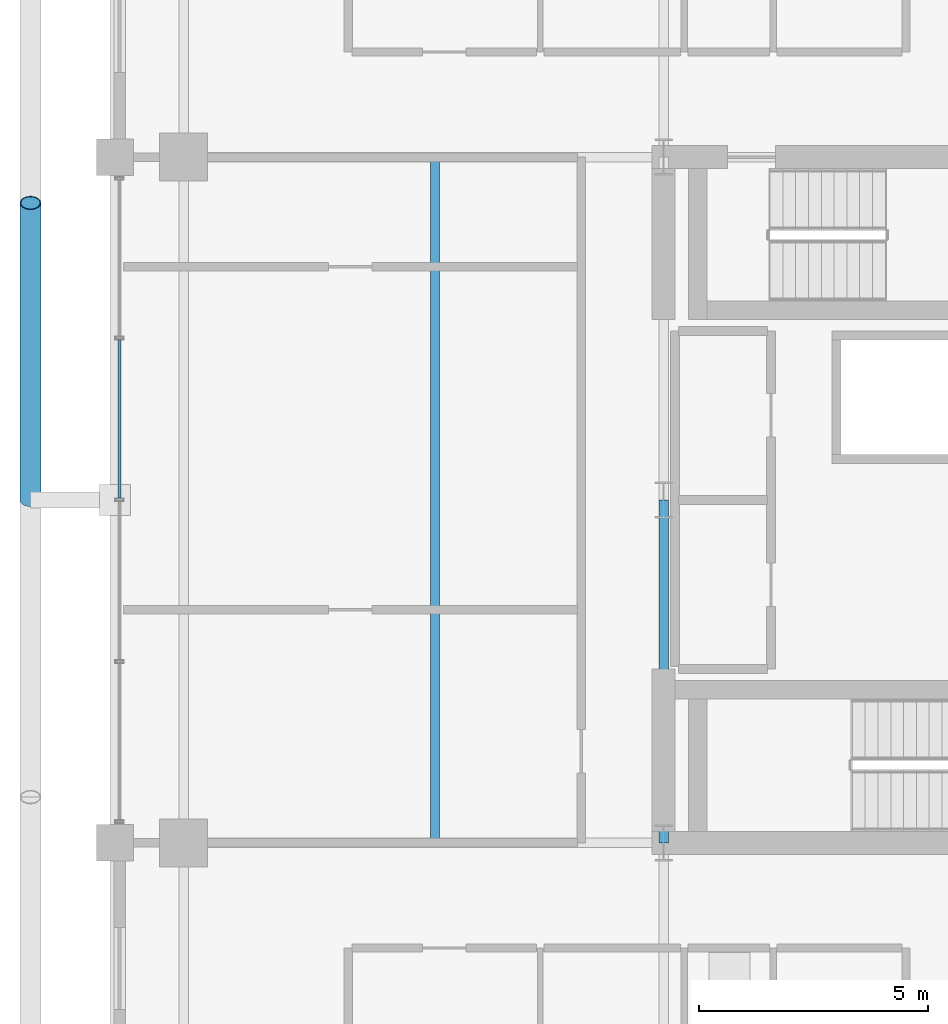
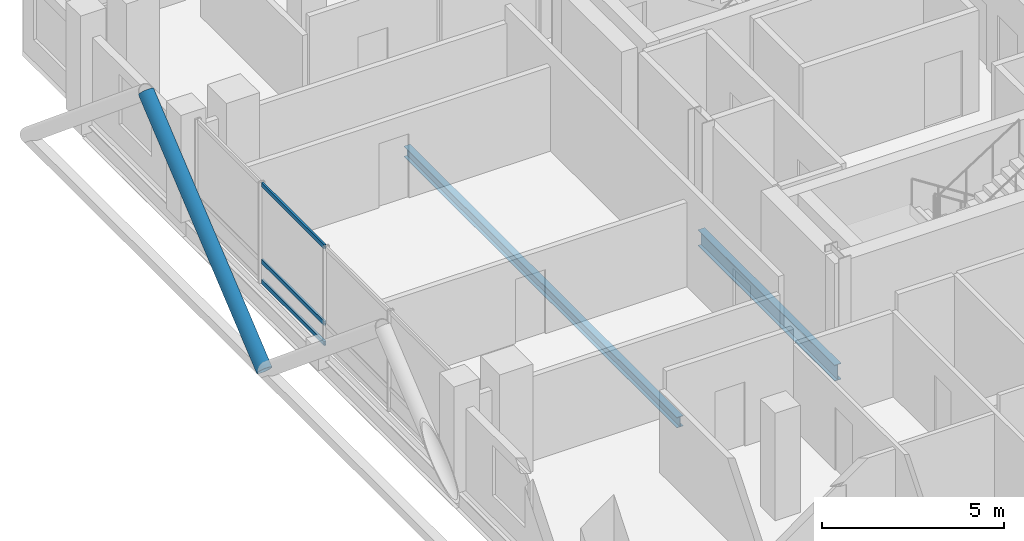
# One storey, part 8 of 26: 4 members, 2 beams, 1 element without a shape of its own.
"""IFC4 building model written with IfcOpenShell, lengths in metres."""

import ifcopenshell
import ifcopenshell.guid

model = None  # the IFC model being written
_history = None  # IfcOwnerHistory: only IFC2X3 demands one
_inside = {}  # id of a spatial element -> (the spatial element, [elements in it])
_under = {}  # id of a project, library or spatial element -> (it, [spatial elements below it])
_declared = {}  # id of a project -> (the project, [libraries it declares])
_typed = {}  # id of a type object -> (the type object, [elements of that type])
_made_of = {}  # id of a material, layer set ... -> (it, [elements and type objects made of it])


def new_model(schema):
    """Start an empty IFC model of exactly this schema.

    Asked for "IFC4X3", IfcOpenShell would pick the latest addendum, in which some entities
    have other attributes; the version numbers below select the first issue.
    IFC2X3 requires an IfcOwnerHistory on every rooted entity: one is made here for all.
    """
    global model, _history
    if schema == "IFC4X3":
        model = ifcopenshell.file(schema_version=(4, 3, 0, 0))
    else:
        model = ifcopenshell.file(schema=schema)
    _inside.clear()
    _under.clear()
    _declared.clear()
    _typed.clear()
    _made_of.clear()
    _history = None
    if model.schema == "IFC2X3":
        org = make("IfcOrganization", Name="unknown")
        user = make(
            "IfcPersonAndOrganization",
            ThePerson=make("IfcPerson", FamilyName="unknown"),
            TheOrganization=org,
        )
        app = make(
            "IfcApplication",
            ApplicationDeveloper=org,
            Version="unknown",
            ApplicationFullName="unknown",
            ApplicationIdentifier="unknown",
        )
        _history = make(
            "IfcOwnerHistory",
            OwningUser=user,
            OwningApplication=app,
            ChangeAction="ADDED",
            CreationDate=0,
        )
    return model


def make(cls, **values):
    """One entity of the class cls with the attributes given. An attribute that is None is left unset."""
    return model.create_entity(
        cls, **{name: value for name, value in values.items() if value is not None}
    )


def rooted(cls, **values):
    """An entity with a GlobalId (a new one), such as an element, a storey or a relation."""
    return make(cls, GlobalId=ifcopenshell.guid.new(), OwnerHistory=_history, **values)


def si_unit(unit_type, name, prefix=None):
    """IfcSIUnit, for example si_unit("LENGTHUNIT", "METRE", prefix="MILLI")."""
    return make("IfcSIUnit", UnitType=unit_type, Prefix=prefix, Name=name)


def assignment(units):
    """IfcUnitAssignment: the units of a project."""
    return None if units is None else make("IfcUnitAssignment", Units=units)


def point(xyz):
    """IfcCartesianPoint."""
    return None if xyz is None else make("IfcCartesianPoint", Coordinates=xyz)


def direction(xyz):
    """IfcDirection."""
    return None if xyz is None else make("IfcDirection", DirectionRatios=xyz)


def frame(location, z_axis=None, x_axis=None):
    """IfcAxis2Placement3D, a coordinate frame: its origin and axes. An axis left out is left unset."""
    return make(
        "IfcAxis2Placement3D",
        Location=point(location),
        Axis=direction(z_axis),
        RefDirection=direction(x_axis),
    )


def frame_2d(location, x_axis=None):
    """IfcAxis2Placement2D, a coordinate frame in the plane: its origin and x axis."""
    return make(
        "IfcAxis2Placement2D", Location=point(location), RefDirection=direction(x_axis)
    )


def origin():
    """The frame at (0, 0, 0) with its axes left unset."""
    return frame((0.0, 0.0, 0.0))


def origin_2d():
    """The frame at (0, 0) in the plane with its x axis left unset."""
    return frame_2d((0.0, 0.0))


def place(relative_to, where):
    """IfcLocalPlacement: puts the frame where relative to a parent placement (None: the world)."""
    return make(
        "IfcLocalPlacement", PlacementRelTo=relative_to, RelativePlacement=where
    )


def context(
    kind, dimensions, precision=None, world=None, true_north=None, identifier=None
):
    """IfcGeometricRepresentationContext, for example the 3D "Model" context."""
    return make(
        "IfcGeometricRepresentationContext",
        ContextIdentifier=identifier,
        ContextType=kind,
        CoordinateSpaceDimension=dimensions,
        Precision=precision,
        WorldCoordinateSystem=world,
        TrueNorth=true_north,
    )


def subcontext(parent, identifier, kind, view, scale=None):
    """IfcGeometricRepresentationSubContext, for example "Body" below "Model"."""
    return make(
        "IfcGeometricRepresentationSubContext",
        ContextIdentifier=identifier,
        ContextType=kind,
        ParentContext=parent,
        TargetScale=scale,
        TargetView=view,
    )


def project(units=None, contexts=None):
    """IfcProject with its units and contexts."""
    return rooted(
        "IfcProject",
        Name="project",
        RepresentationContexts=contexts,
        UnitsInContext=assignment(units),
    )


def spatial(cls, under=None, at=None, **own):
    """A site, building, storey or space (cls), placed at a placement, below another one or the project."""
    s = rooted(cls, ObjectPlacement=at, **own)
    if under is not None:
        _under.setdefault(under.id(), (under, []))[1].append(s)
    return s


def profile(cls, at=None, kind="AREA", **sizes):
    """A parametric profile (cls). Its sizes go by their IFC names, for example OverallWidth=200.0."""
    return make(cls, ProfileType=kind, Position=at, **sizes)


def hollow_rectangle(**sizes):
    """IfcRectangleHollowProfileDef."""
    return profile("IfcRectangleHollowProfileDef", **sizes)


def hollow_circle(**sizes):
    """IfcCircleHollowProfileDef."""
    return profile("IfcCircleHollowProfileDef", **sizes)


def i_section(**sizes):
    """IfcIShapeProfileDef."""
    return profile("IfcIShapeProfileDef", **sizes)


def extrude(swept, where, along, depth):
    """IfcExtrudedAreaSolid: the profile swept, set in the frame where, extruded along a direction by depth."""
    return make(
        "IfcExtrudedAreaSolid",
        SweptArea=swept,
        Position=where,
        ExtrudedDirection=direction(along),
        Depth=depth,
    )


def shape(context_of_items, identifier, shape_type, items):
    """IfcShapeRepresentation: the items that make up one representation, for example the "Body"."""
    return make(
        "IfcShapeRepresentation",
        ContextOfItems=context_of_items,
        RepresentationIdentifier=identifier,
        RepresentationType=shape_type,
        Items=items,
    )


def material(Name=None, Category=None):
    """IfcMaterial."""
    return make("IfcMaterial", Name=Name, Category=Category)


def layer(
    of_material, thickness, ventilated=None, Name=None, Category=None, Priority=None
):
    """IfcMaterialLayer: one layer of a wall or slab, of a material (None: an air gap)."""
    return make(
        "IfcMaterialLayer",
        Material=of_material,
        LayerThickness=thickness,
        IsVentilated=ventilated,
        Name=Name,
        Category=Category,
        Priority=Priority,
    )


def layer_set(layers, Name=None):
    """IfcMaterialLayerSet."""
    return make("IfcMaterialLayerSet", MaterialLayers=layers, LayerSetName=Name)


def material_profile(
    of_material, cross_section, Name=None, Category=None, Priority=None
):
    """IfcMaterialProfile: a cross section and its material."""
    return make(
        "IfcMaterialProfile",
        Name=Name,
        Material=of_material,
        Profile=cross_section,
        Priority=Priority,
        Category=Category,
    )


def profile_set(profiles, Name=None, composite=None):
    """IfcMaterialProfileSet."""
    return make(
        "IfcMaterialProfileSet",
        Name=Name,
        MaterialProfiles=profiles,
        CompositeProfile=composite,
    )


def made_of(thing, what):
    """Note that an element or type object is made of a material, layer set ...; save() writes the relation."""
    if what is not None:
        _made_of.setdefault(what.id(), (what, []))[1].append(thing)
    return thing


def type_object(cls, material=None, **own):
    """A type object (cls), such as IfcWallType, which elements share."""
    return made_of(rooted(cls, **own), material)


def element(
    cls,
    number,
    at=None,
    inside=None,
    cuts=None,
    type_object=None,
    material=None,
    context=None,
    identifier="Body",
    shape_type=None,
    held_by="IfcProductDefinitionShape",
    body=None,
    shapes=None,
    **own,
):
    """One element of the class cls, such as IfcWall. Its Tag is "e" and its number.

    at: its placement. inside: the storey or other place that contains it. cuts: it is an
    opening in that element (IfcRelVoidsElement). A single representation is given by context,
    identifier, shape_type and body (its items); several are given by shapes. held_by: the class
    of the entity that holds the representations. save() writes the other relations.
    """
    e = rooted(cls, Tag="e%d" % number, ObjectPlacement=at, **own)
    if body is not None:
        shapes = [shape(context, identifier, shape_type, body)]
    if shapes is not None:
        e.Representation = make(held_by, Representations=shapes)
    if inside is not None:
        _inside.setdefault(inside.id(), (inside, []))[1].append(e)
    if cuts is not None:
        rooted(
            "IfcRelVoidsElement", RelatingBuildingElement=cuts, RelatedOpeningElement=e
        )
    if type_object is not None:
        _typed.setdefault(type_object.id(), (type_object, []))[1].append(e)
    return made_of(e, material)


def aggregate(whole, parts):
    """IfcRelAggregates: a whole, such as a stair, and the parts it consists of."""
    return rooted("IfcRelAggregates", RelatingObject=whole, RelatedObjects=parts)


def save(model, path):
    """Write the relations noted so far, then the file.

    IfcRelAggregates (storeys below a building ...), IfcRelContainedInSpatialStructure (elements
    in a storey), IfcRelDefinesByType, IfcRelAssociatesMaterial and IfcRelDeclares: one each for
    every whole, place, type object, material and project.
    """
    for whole, parts in _under.values():
        aggregate(whole, parts)
    for where, things in _inside.values():
        rooted(
            "IfcRelContainedInSpatialStructure",
            RelatedElements=things,
            RelatingStructure=where,
        )
    for kind, things in _typed.values():
        rooted("IfcRelDefinesByType", RelatedObjects=things, RelatingType=kind)
    for what, things in _made_of.values():
        rooted("IfcRelAssociatesMaterial", RelatedObjects=things, RelatingMaterial=what)
    for by, libraries in _declared.values():
        rooted("IfcRelDeclares", RelatingContext=by, RelatedDefinitions=libraries)
    model.write(path)


model = new_model("IFC4")

# Units and contexts
model_context = context("Model", 3, precision=1e-05, world=origin(), true_north=direction((0.0, 1.0)))
body_context = subcontext(model_context, "Body", "Model", "MODEL_VIEW")
ifc_project = project(units=[si_unit("LENGTHUNIT", "METRE"), si_unit("AREAUNIT", "SQUARE_METRE"), si_unit("VOLUMEUNIT", "CUBIC_METRE"), si_unit("PLANEANGLEUNIT", "RADIAN"), si_unit("MASSUNIT", "GRAM", prefix="KILO")], contexts=[model_context])

# Site, building, storey
site_placement = place(None, origin())
site = spatial("IfcSite", under=ifc_project, at=site_placement, CompositionType="ELEMENT")
building_placement = place(site_placement, origin())
building = spatial("IfcBuilding", under=site, at=building_placement, Name="Barlavira Tower and Art Museum", CompositionType="ELEMENT")
storey_placement = place(building_placement, frame((0.0, 0.0, 198.0)))
storey = spatial("IfcBuildingStorey", under=building, at=storey_placement, Name="L51", CompositionType="ELEMENT", Elevation=198.0)

# Curtain wall, members
ifc_material_1 = material(Name="Low-iron coastal laminated glass", Category="glass")
ifc_layer = layer(ifc_material_1, 0.199951171875, Name="Low-iron coastal laminated glass")
ifc_layer_set = layer_set([ifc_layer], Name="Low-iron coastal laminated glass")
curtain_wall_type = type_object("IfcCurtainWallType", Name="Pale-Metal Unitised Curtain Wall Zone 3", PredefinedType="NOTDEFINED", material=ifc_layer_set)
curtain_wall_placement = place(storey_placement, origin())
curtain_wall = element("IfcCurtainWall", 1, at=curtain_wall_placement, inside=storey, type_object=curtain_wall_type, Name="L51 Curtain Wall CW3-L51-W-B3", PredefinedType="NOTDEFINED")
ifc_material_2 = material(Name="Pale anodised aluminium", Category="aluminium")
ifc_material_profile_1 = material_profile(ifc_material_2, hollow_rectangle(XDim=0.06494140625, YDim=0.139892578125, WallThickness=0.00390625, at=origin_2d()), Name="ALU-TRAN 65x140x4")
ifc_profile_set_1 = profile_set([ifc_material_profile_1], Name="Pale anodised aluminium")
member_type_1 = type_object("IfcMemberType", Name="Curtain Wall Pale-Metal Transom 65x140", PredefinedType="USERDEFINED", material=ifc_profile_set_1)
member_1_placement = place(storey_placement, frame((-18.39990234375, 3.4951171875, 0.070068359375), z_axis=(0.0, -1.0, 0.0), x_axis=(1.0, 0.0, 0.0)))
member_1 = element("IfcMember", 2, at=member_1_placement, type_object=member_type_1, Name="CW3-L51-W-B3 Transom 1.1", ObjectType="TRANSOM", PredefinedType="USERDEFINED", context=body_context, shape_type="SweptSolid", body=[
    extrude(hollow_rectangle(XDim=0.06494140625, YDim=0.139892578125, WallThickness=0.00390625, at=origin_2d()), origin(), (0.0, 0.0, 1.0), 3.4501953125),
])
member_2_placement = place(storey_placement, frame((-18.39990234375, 3.4951171875, 0.743896484375), z_axis=(0.0, -1.0, 0.0), x_axis=(1.0, 0.0, 0.0)))
member_2 = element("IfcMember", 3, at=member_2_placement, type_object=member_type_1, Name="CW3-L51-W-B3 Transom 1.2", ObjectType="TRANSOM", PredefinedType="USERDEFINED", context=body_context, shape_type="SweptSolid", body=[
    extrude(hollow_rectangle(XDim=0.06494140625, YDim=0.139892578125, WallThickness=0.00390625, at=origin_2d()), origin(), (0.0, 0.0, 1.0), 3.4501953125),
])
member_3_placement = place(storey_placement, frame((-18.39990234375, 3.4951171875, 3.31005859375), z_axis=(0.0, -1.0, 0.0), x_axis=(1.0, 0.0, 0.0)))
member_3 = element("IfcMember", 4, at=member_3_placement, type_object=member_type_1, Name="CW3-L51-W-B3 Transom 1.3", ObjectType="TRANSOM", PredefinedType="USERDEFINED", context=body_context, shape_type="SweptSolid", body=[
    extrude(hollow_rectangle(XDim=0.06494140625, YDim=0.139892578125, WallThickness=0.00390625, at=origin_2d()), origin(), (0.0, 0.0, 1.0), 3.4501953125),
])
aggregate(curtain_wall, [member_1, member_2, member_3])

# Member
ifc_material_3 = material(Name="Steel S355", Category="steel")
ifc_material_profile_2 = material_profile(ifc_material_3, hollow_circle(Radius=0.228515625, WallThickness=0.02001953125, at=origin_2d()), Name="CHS 457.0x20.0")
ifc_profile_set_2 = profile_set([ifc_material_profile_2], Name="Steel S355")
member_type_2 = type_object("IfcMemberType", Name="Pale-Metal Exoskeleton Diagrid Tube CHS 457x20 Steel S355", PredefinedType="BRACE", material=ifc_profile_set_2)
member_4_placement = place(storey_placement, frame((-20.35009765625, 0.0, -0.1201171875), z_axis=(0.0, 0.76918185268, 0.639029950399), x_axis=(-1.0, 0.0, 0.0)))
element("IfcMember", 5, at=member_4_placement, inside=storey, type_object=member_type_2, Name="L51 Exoskeleton Diagrid Tube W", PredefinedType="BRACE", context=body_context, shape_type="SweptSolid", body=[
    extrude(hollow_circle(Radius=0.228515625, WallThickness=0.02001953125, at=origin_2d()), origin(), (0.0, 0.0, 1.0), 8.450439453125),
])

# Beams
ifc_material_profile_3 = material_profile(ifc_material_3, i_section(OverallWidth=0.205078125, OverallDepth=0.35400390625, WebThickness=0.009521484375, FlangeThickness=0.016845703125, at=origin_2d()), Name="W360x79.0")
ifc_profile_set_3 = profile_set([ifc_material_profile_3], Name="Steel S355")
beam_type_1 = type_object("IfcBeamType", Name="Zone 3 Composite Floor Joist W360x79 Steel S355", PredefinedType="JOIST", material=ifc_profile_set_3)
beam_1_placement = place(storey_placement, frame((-11.5, -7.5, -0.39697265625), z_axis=(0.0, 1.0, 0.0), x_axis=(-1.0, 0.0, 0.0)))
element("IfcBeam", 6, at=beam_1_placement, inside=storey, type_object=beam_type_1, Name="L51 Joist W1", PredefinedType="JOIST", context=body_context, shape_type="SweptSolid", body=[
    extrude(i_section(OverallWidth=0.205078125, OverallDepth=0.35400390625, WebThickness=0.009521484375, FlangeThickness=0.016845703125, at=origin_2d()), origin(), (0.0, 0.0, 1.0), 15.0),
])
ifc_material_profile_4 = material_profile(ifc_material_3, i_section(OverallWidth=0.2109375, OverallDepth=0.5390625, WebThickness=0.01171875, FlangeThickness=0.018798828125, at=origin_2d()), Name="W530x109.0")
ifc_profile_set_4 = profile_set([ifc_material_profile_4], Name="Steel S355")
beam_type_2 = type_object("IfcBeamType", Name="Zone 3-4 Primary Floor Girder W530x109 Steel S355", PredefinedType="BEAM", material=ifc_profile_set_4)
beam_2_placement = place(storey_placement, frame((-6.5, -7.5, -0.489501953125), z_axis=(0.0, 1.0, 0.0), x_axis=(-1.0, 0.0, 0.0)))
element("IfcBeam", 7, at=beam_2_placement, inside=storey, type_object=beam_type_2, Name="L51 Girder C-W1", PredefinedType="BEAM", context=body_context, shape_type="SweptSolid", body=[
    extrude(i_section(OverallWidth=0.2109375, OverallDepth=0.5390625, WebThickness=0.01171875, FlangeThickness=0.018798828125, at=origin_2d()), origin(), (0.0, 0.0, 1.0), 7.5),
])

save(model, "model.ifc")
